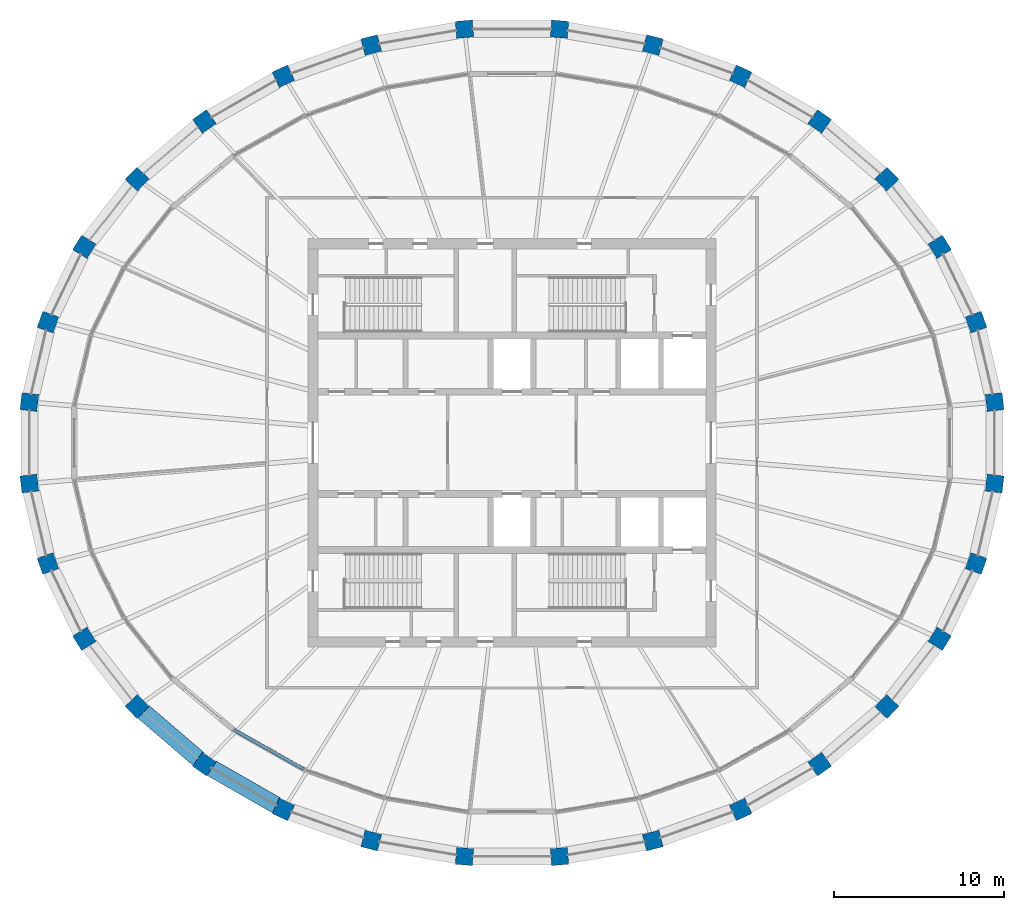
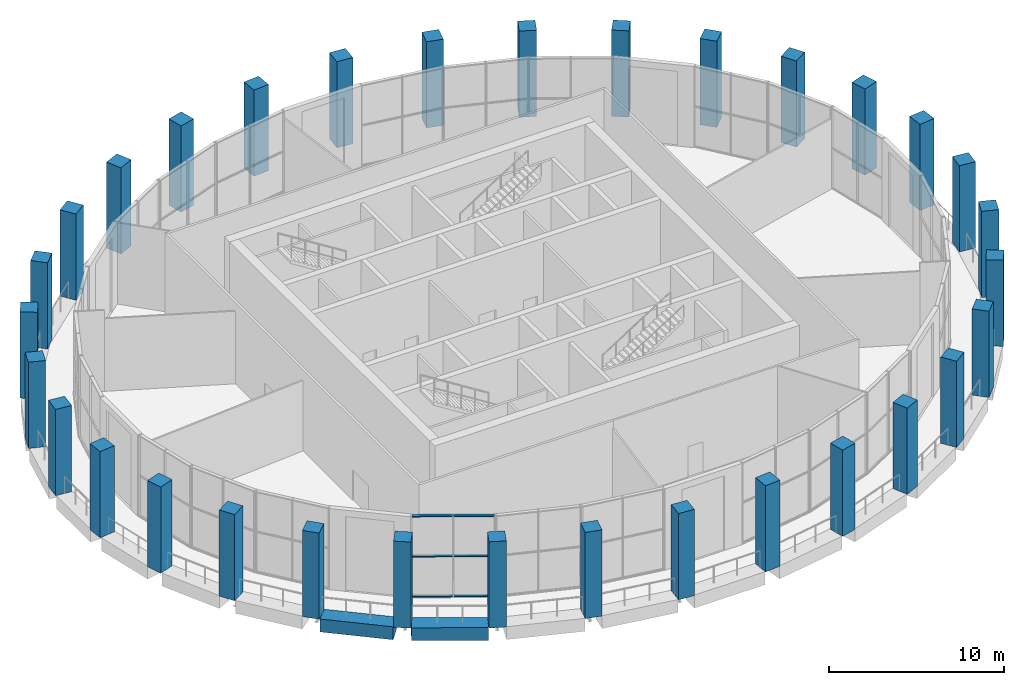
# One storey, part 1 of 15: 32 columns, 6 members, 2 beams, 1 element without a shape of its own.
"""IFC4 building model written with IfcOpenShell, lengths in metres."""

from ifc_helpers import new_model, si_unit, direction, frame, origin, origin_2d, place, context, subcontext, project, spatial, rectangle, extrude, material, material_profile, profile_set, type_object, element, aggregate, save


model = new_model("IFC4")

# Units and contexts
model_context = context("Model", 3, precision=1e-05, world=origin(), true_north=direction((0.0, 1.0)))
body_context = subcontext(model_context, "Body", "Model", "MODEL_VIEW")
ifc_project = project(units=[si_unit("LENGTHUNIT", "METRE"), si_unit("AREAUNIT", "SQUARE_METRE"), si_unit("VOLUMEUNIT", "CUBIC_METRE"), si_unit("PLANEANGLEUNIT", "RADIAN"), si_unit("MASSUNIT", "GRAM", prefix="KILO")], contexts=[model_context])

# Site, building, storey
site_placement = place(None, origin())
site = spatial("IfcSite", under=ifc_project, at=site_placement, CompositionType="ELEMENT")
building_placement = place(site_placement, origin())
building = spatial("IfcBuilding", under=site, at=building_placement, Name="Halqa Exchange Tower", CompositionType="ELEMENT")
storey_placement = place(building_placement, frame((0.0, 0.0, 343.300048828125)))
storey = spatial("IfcBuildingStorey", under=building, at=storey_placement, Name="L80", CompositionType="ELEMENT", Elevation=343.300048828125)

# Columns
ifc_material_1 = material(Name="Concrete C50/60", Category="concrete")
ifc_material_profile_1 = material_profile(ifc_material_1, rectangle(XDim=1.0, YDim=1.0, at=origin_2d()), Name="1000 x 1000")
ifc_profile_set_1 = profile_set([ifc_material_profile_1], Name="Concrete C50/60")
column_type = type_object("IfcColumnType", Name="RC ring column 1000 x 1000 C50/60", PredefinedType="COLUMN", material=ifc_profile_set_1)
for number, where, z_axis, x_axis, name in (
    (1, (28.36279296875, 2.394287109375, 0.0), (0.0, 0.0, 1.0), (-0.114160389816, 0.993462332148, 0.0), "Ring column 1"),
    (2, (27.272705078125, 7.09130859375, 0.0), (0.0, 0.0, 1.0), (-0.333624233576, 0.942706142321, 0.0), "Ring column 2"),
    (3, (25.134765625, 11.515625, 0.0), (0.0, 0.0, 1.0), (-0.529140496257, 0.848534227489, 0.0), "Ring column 3"),
    (4, (22.03076171875, 15.497314453125, 0.0), (0.0, 0.0, 1.0), (-0.691578612608, 0.722301199351, 0.0), "Ring column 4"),
    (5, (18.080078125, 18.883544921875, 0.0), (0.0, 0.0, 1.0), (-0.817906779671, 0.575350762377, 0.0), "Ring column 5"),
    (6, (13.434814453125, 21.544189453125, 0.0), (0.0, 0.0, 1.0), (-0.909128549752, 0.416515641994, 0.0), "Ring column 6"),
    (7, (8.273193359375, 23.376708984375, 0.0), (0.0, 0.0, 1.0), (-0.967819064366, 0.251647091481, 0.0), "Ring column 7"),
    (8, (2.79345703125, 24.31103515625, 0.0), (0.0, 0.0, 1.0), (-0.996455078514, 0.084126550533, 0.0), "Ring column 8"),
    (9, (-2.79345703125, 24.31103515625, 0.0), (0.0, 0.0, 1.0), (-0.996455078514, -0.084126550533, 0.0), "Ring column 9"),
    (10, (-8.273193359375, 23.376708984375, 0.0), (0.0, 0.0, 1.0), (-0.967819064366, -0.251647091481, 0.0), "Ring column 10"),
    (11, (-13.434814453125, 21.544189453125, 0.0), (0.0, 0.0, 1.0), (-0.909128549752, -0.416515641994, 0.0), "Ring column 11"),
    (12, (-18.080078125, 18.883544921875, 0.0), (0.0, 0.0, 1.0), (-0.817906779671, -0.575350762377, 0.0), "Ring column 12"),
    (13, (-22.03076171875, 15.497314453125, 0.0), (0.0, 0.0, 1.0), (-0.691578612608, -0.722301199351, 0.0), "Ring column 13"),
    (14, (-25.134765625, 11.515625, 0.0), (0.0, 0.0, 1.0), (-0.529140496257, -0.848534227489, 0.0), "Ring column 14"),
    (15, (-27.272705078125, 7.09130859375, 0.0), (0.0, 0.0, 1.0), (-0.333624233576, -0.942706142321, 0.0), "Ring column 15"),
    (16, (-28.36279296875, 2.394287109375, 0.0), (0.0, 0.0, 1.0), (-0.114160389816, -0.993462332148, 0.0), "Ring column 16"),
    (17, (-28.36279296875, -2.394287109375, 0.0), (0.0, 0.0, 1.0), (0.114160389816, -0.993462332148, 0.0), "Ring column 17"),
    (18, (-27.272705078125, -7.09130859375, 0.0), (0.0, 0.0, 1.0), (0.333624233576, -0.942706142321, 0.0), "Ring column 18"),
    (19, (-25.134765625, -11.515625, 0.0), (0.0, 0.0, 1.0), (0.529140496257, -0.848534227489, 0.0), "Ring column 19"),
    (20, (-22.03076171875, -15.497314453125, 0.0), (0.0, 0.0, 1.0), (0.691578612608, -0.722301199351, 0.0), "Ring column 20"),
    (21, (-18.080078125, -18.883544921875, 0.0), (0.0, 0.0, 1.0), (0.817906779671, -0.575350762377, 0.0), "Ring column 21"),
    (22, (-13.434814453125, -21.544189453125, 0.0), (0.0, 0.0, 1.0), (0.909128549752, -0.416515641994, 0.0), "Ring column 22"),
    (23, (-8.273193359375, -23.376708984375, 0.0), (0.0, 0.0, 1.0), (0.967819064366, -0.251647091481, 0.0), "Ring column 23"),
    (24, (-2.79345703125, -24.31103515625, 0.0), (0.0, 0.0, 1.0), (0.996455078514, -0.084126550533, 0.0), "Ring column 24"),
    (25, (2.79345703125, -24.31103515625, 0.0), (0.0, 0.0, 1.0), (0.996455078514, 0.084126550533, 0.0), "Ring column 25"),
    (26, (8.273193359375, -23.376708984375, 0.0), (0.0, 0.0, 1.0), (0.967819064366, 0.251647091481, 0.0), "Ring column 26"),
    (27, (13.434814453125, -21.544189453125, 0.0), (0.0, 0.0, 1.0), (0.909128549752, 0.416515641994, 0.0), "Ring column 27"),
    (28, (18.080078125, -18.883544921875, 0.0), (0.0, 0.0, 1.0), (0.817906779671, 0.575350762377, 0.0), "Ring column 28"),
    (29, (22.03076171875, -15.497314453125, 0.0), (0.0, 0.0, 1.0), (0.691578612608, 0.722301199351, 0.0), "Ring column 29"),
    (30, (25.134765625, -11.515625, 0.0), (0.0, 0.0, 1.0), (0.529140496257, 0.848534227489, 0.0), "Ring column 30"),
    (31, (27.272705078125, -7.09130859375, 0.0), (0.0, 0.0, 1.0), (0.333624233576, 0.942706142321, 0.0), "Ring column 31"),
    (32, (28.36279296875, -2.394287109375, 0.0), (0.0, 0.0, 1.0), (0.114160389816, 0.993462332148, 0.0), "Ring column 32"),
):
    element("IfcColumn", number, at=place(storey_placement, frame(where, z_axis=z_axis, x_axis=x_axis)), inside=storey, type_object=column_type, Name=name, PredefinedType="COLUMN", context=body_context, shape_type="SweptSolid", body=[
        extrude(rectangle(XDim=1.0, YDim=1.0, at=origin_2d()), origin(), (0.0, 0.0, 1.0), 6.0),
    ])

# Curtain wall, members
ifc_material_2 = material(Name="Anodised aluminium and clear glass", Category="aluminium")
curtain_wall_type = type_object("IfcCurtainWallType", Name="Observation deck glazing", PredefinedType="NOTDEFINED", material=ifc_material_2)
curtain_wall_placement = place(storey_placement, origin())
curtain_wall = element("IfcCurtainWall", 33, at=curtain_wall_placement, inside=storey, type_object=curtain_wall_type, Name="Observation deck glazing run G21", PredefinedType="NOTDEFINED")
ifc_material_3 = material(Name="Anodised aluminium", Category="aluminium")
ifc_material_profile_2 = material_profile(ifc_material_3, rectangle(XDim=0.199951171875, YDim=0.070068359375, at=origin_2d()), Name="AL 70x200")
ifc_profile_set_2 = profile_set([ifc_material_profile_2], Name="Anodised aluminium")
member_type = type_object("IfcMemberType", Name="Observation deck glazing transom 70 x 200", PredefinedType="USERDEFINED", material=ifc_profile_set_2)
member_1_placement = place(storey_placement, frame((-16.32861328125, -16.877197265625, 0.034912109375), z_axis=(0.871634762518, -0.490155935157, 0.0), x_axis=(0.490155935157, 0.871634762518, 0.0)))
member_1 = element("IfcMember", 34, at=member_1_placement, type_object=member_type, Name="G21 transom 1.1", ObjectType="TRANSOM", PredefinedType="USERDEFINED", context=body_context, shape_type="SweptSolid", body=[
    extrude(rectangle(XDim=0.199951171875, YDim=0.070068359375, at=origin_2d()), origin(), (0.0, 0.0, 1.0), 2.3115234375),
])
member_2_placement = place(storey_placement, frame((-16.32861328125, -16.877197265625, 2.824951171875), z_axis=(0.871634762518, -0.490155935157, 0.0), x_axis=(0.490155935157, 0.871634762518, 0.0)))
member_2 = element("IfcMember", 35, at=member_2_placement, type_object=member_type, Name="G21 transom 1.2", ObjectType="TRANSOM", PredefinedType="USERDEFINED", context=body_context, shape_type="SweptSolid", body=[
    extrude(rectangle(XDim=0.199951171875, YDim=0.070068359375, at=origin_2d()), origin(), (0.0, 0.0, 1.0), 2.3115234375),
])
member_3_placement = place(storey_placement, frame((-16.32861328125, -16.877197265625, 5.614990234375), z_axis=(0.871634762518, -0.490155935157, 0.0), x_axis=(0.490155935157, 0.871634762518, 0.0)))
member_3 = element("IfcMember", 36, at=member_3_placement, type_object=member_type, Name="G21 transom 1.3", ObjectType="TRANSOM", PredefinedType="USERDEFINED", context=body_context, shape_type="SweptSolid", body=[
    extrude(rectangle(XDim=0.199951171875, YDim=0.070068359375, at=origin_2d()), origin(), (0.0, 0.0, 1.0), 2.3115234375),
])
member_4_placement = place(storey_placement, frame((-14.252685546875, -18.044677734375, 0.034912109375), z_axis=(0.871634762518, -0.490155935157, 0.0), x_axis=(0.490155935157, 0.871634762518, 0.0)))
member_4 = element("IfcMember", 37, at=member_4_placement, type_object=member_type, Name="G21 transom 2.1", ObjectType="TRANSOM", PredefinedType="USERDEFINED", context=body_context, shape_type="SweptSolid", body=[
    extrude(rectangle(XDim=0.199951171875, YDim=0.070068359375, at=origin_2d()), origin(), (0.0, 0.0, 1.0), 2.3115234375),
])
member_5_placement = place(storey_placement, frame((-14.252685546875, -18.044677734375, 2.824951171875), z_axis=(0.871634762518, -0.490155935157, 0.0), x_axis=(0.490155935157, 0.871634762518, 0.0)))
member_5 = element("IfcMember", 38, at=member_5_placement, type_object=member_type, Name="G21 transom 2.2", ObjectType="TRANSOM", PredefinedType="USERDEFINED", context=body_context, shape_type="SweptSolid", body=[
    extrude(rectangle(XDim=0.199951171875, YDim=0.070068359375, at=origin_2d()), origin(), (0.0, 0.0, 1.0), 2.3115234375),
])
member_6_placement = place(storey_placement, frame((-14.252685546875, -18.044677734375, 5.614990234375), z_axis=(0.871634762518, -0.490155935157, 0.0), x_axis=(0.490155935157, 0.871634762518, 0.0)))
member_6 = element("IfcMember", 39, at=member_6_placement, type_object=member_type, Name="G21 transom 2.3", ObjectType="TRANSOM", PredefinedType="USERDEFINED", context=body_context, shape_type="SweptSolid", body=[
    extrude(rectangle(XDim=0.199951171875, YDim=0.070068359375, at=origin_2d()), origin(), (0.0, 0.0, 1.0), 2.3115234375),
])
aggregate(curtain_wall, [member_1, member_2, member_3, member_4, member_5, member_6])

# Beams
ifc_material_4 = material(Name="Concrete C60/75", Category="concrete")
ifc_material_profile_3 = material_profile(ifc_material_4, rectangle(XDim=1.0, YDim=0.89990234375, at=origin_2d()), Name="1000 x 900")
ifc_profile_set_3 = profile_set([ifc_material_profile_3], Name="Concrete C60/75")
beam_type = type_object("IfcBeamType", Name="RC spandrel beam 1000 x 900 C60/75", PredefinedType="SPANDREL", material=ifc_profile_set_3)
beam_1_placement = place(storey_placement, frame((-21.670654296875, -15.805908203125, -0.449951171875), z_axis=(0.759232294843, -0.65081973116, 0.0), x_axis=(0.65081973116, 0.759232294843, 0.0)))
element("IfcBeam", 40, at=beam_1_placement, inside=storey, type_object=beam_type, Name="Spandrel 20", PredefinedType="SPANDREL", context=body_context, shape_type="SweptSolid", body=[
    extrude(rectangle(XDim=1.0, YDim=0.89990234375, at=origin_2d()), origin(), (0.0, 0.0, 1.0), 4.25390625),
])
beam_2_placement = place(storey_placement, frame((-17.669189453125, -19.119140625, -0.449951171875), z_axis=(0.86778573249, -0.49693855001, 0.0), x_axis=(0.49693855001, 0.86778573249, 0.0)))
element("IfcBeam", 41, at=beam_2_placement, inside=storey, type_object=beam_type, Name="Spandrel 21", PredefinedType="SPANDREL", context=body_context, shape_type="SweptSolid", body=[
    extrude(rectangle(XDim=1.0, YDim=0.89990234375, at=origin_2d()), origin(), (0.0, 0.0, 1.0), 4.40478515625),
])

save(model, "model.ifc")
